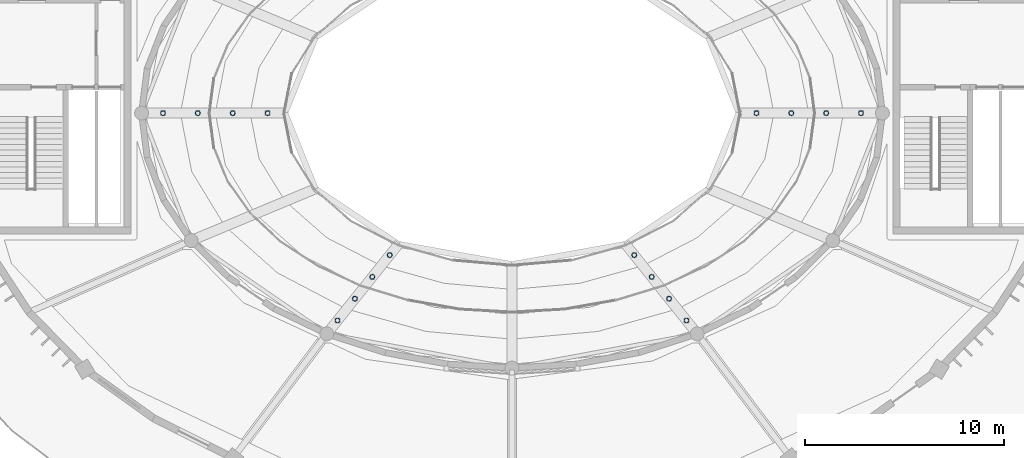
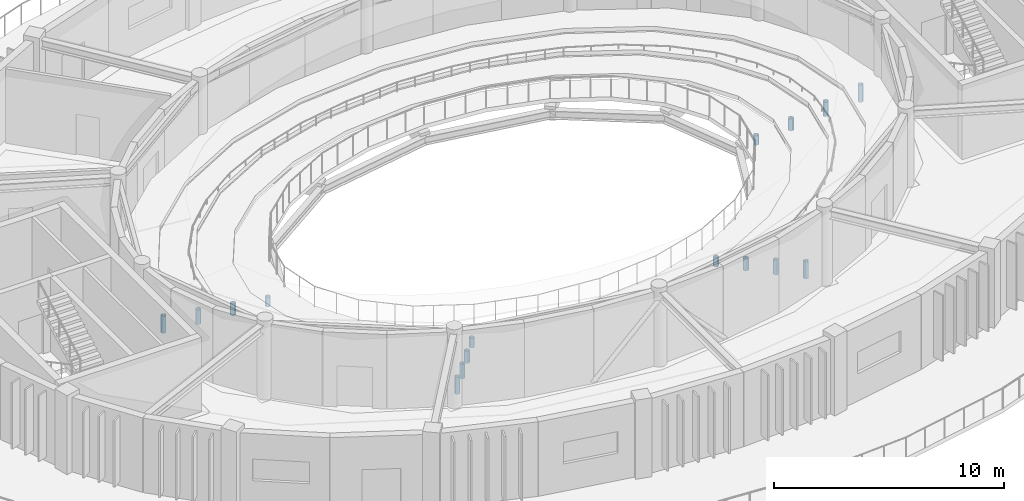
# One storey, part 40 of 63: 16 members.
"""IFC4 building model written with IfcOpenShell, lengths in metres."""

from ifc_helpers import new_model, si_unit, direction, frame, origin, origin_2d, place, context, subcontext, project, spatial, hollow_circle, extrude, material, material_profile, profile_set, type_object, element, save


model = new_model("IFC4")

# Units and contexts
model_context = context("Model", 3, precision=1e-05, world=origin(), true_north=direction((0.0, 1.0)))
body_context = subcontext(model_context, "Body", "Model", "MODEL_VIEW")
ifc_project = project(units=[si_unit("LENGTHUNIT", "METRE"), si_unit("AREAUNIT", "SQUARE_METRE"), si_unit("VOLUMEUNIT", "CUBIC_METRE"), si_unit("PLANEANGLEUNIT", "RADIAN"), si_unit("MASSUNIT", "GRAM", prefix="KILO")], contexts=[model_context])

# Site, building, storey
site_placement = place(None, origin())
site = spatial("IfcSite", under=ifc_project, at=site_placement, CompositionType="ELEMENT")
building_placement = place(site_placement, origin())
building = spatial("IfcBuilding", under=site, at=building_placement, Name="Tarnveldt Headland Concert Hall", CompositionType="ELEMENT")
storey_placement = place(building_placement, frame((0.0, 0.0, 14.39990234375)))
storey = spatial("IfcBuildingStorey", under=building, at=storey_placement, Name="L03", CompositionType="ELEMENT", Elevation=14.39990234375)

# Members
ifc_material = material(Name="Steel S355", Category="steel")
ifc_material_profile = material_profile(ifc_material, hollow_circle(Radius=0.122314453125, WallThickness=0.01611328125, at=origin_2d()), Name="CHS 244.5x16", Category="steel")
ifc_profile_set = profile_set([ifc_material_profile], Name="Steel S355")
member_type = type_object("IfcMemberType", Name="TR-CHORD244", PredefinedType="POST", material=ifc_profile_set)
for number, where, z_axis, x_axis, name in (
    (1, (95.77490234375, 54.5, -0.431396484375), (0.0, 0.0, 1.0), (1.0, 0.0, 0.0), "Vineyard tier raker stool post L03-1-1"),
    (2, (71.22509765625, 54.5, -0.431396484375), (0.0, 0.0, 1.0), (1.0, 0.0, 0.0), "Vineyard tier raker stool post L03-1-7"),
    (3, (77.362548828125, 47.370849609375, -0.431396484375), (0.0, 0.0, 1.0), (1.0, 0.0, 0.0), "Vineyard tier raker stool post L03-1-9"),
    (4, (89.637451171875, 47.370849609375, -0.431396484375), (0.0, 0.0, 1.0), (1.0, 0.0, 0.0), "Vineyard tier raker stool post L03-1-11"),
):
    element("IfcMember", number, at=place(storey_placement, frame(where, z_axis=z_axis, x_axis=x_axis)), inside=storey, type_object=member_type, Name=name, PredefinedType="POST", context=body_context, shape_type="SweptSolid", body=[
        extrude(hollow_circle(Radius=0.122314453125, WallThickness=0.01611328125, at=origin_2d()), origin(), (0.0, 0.0, 1.0), 0.49658203125),
    ])
for number, where, z_axis, x_axis, name in (
    (5, (97.52490234375, 54.5, -0.284423828125), (0.0, 0.0, 1.0), (1.0, 0.0, 0.0), "Vineyard tier raker stool post L03-2-1"),
    (6, (69.47509765625, 54.5, -0.284423828125), (0.0, 0.0, 1.0), (1.0, 0.0, 0.0), "Vineyard tier raker stool post L03-2-7"),
    (7, (76.487548828125, 46.2763671875, -0.284423828125), (0.0, 0.0, 1.0), (1.0, 0.0, 0.0), "Vineyard tier raker stool post L03-2-9"),
    (8, (90.512451171875, 46.2763671875, -0.284423828125), (0.0, 0.0, 1.0), (1.0, 0.0, 0.0), "Vineyard tier raker stool post L03-2-11"),
):
    element("IfcMember", number, at=place(storey_placement, frame(where, z_axis=z_axis, x_axis=x_axis)), inside=storey, type_object=member_type, Name=name, PredefinedType="POST", context=body_context, shape_type="SweptSolid", body=[
        extrude(hollow_circle(Radius=0.122314453125, WallThickness=0.01611328125, at=origin_2d()), origin(), (0.0, 0.0, 1.0), 0.629638671875),
    ])
for number, where, z_axis, x_axis, name in (
    (9, (99.27490234375, 54.5, -0.13720703125), (0.0, 0.0, 1.0), (1.0, 0.0, 0.0), "Vineyard tier raker stool post L03-3-1"),
    (10, (67.72509765625, 54.5, -0.13720703125), (0.0, 0.0, 1.0), (1.0, 0.0, 0.0), "Vineyard tier raker stool post L03-3-7"),
    (11, (75.612548828125, 45.181884765625, -0.13720703125), (0.0, 0.0, 1.0), (1.0, 0.0, 0.0), "Vineyard tier raker stool post L03-3-9"),
    (12, (91.387451171875, 45.181884765625, -0.13720703125), (0.0, 0.0, 1.0), (1.0, 0.0, 0.0), "Vineyard tier raker stool post L03-3-11"),
):
    element("IfcMember", number, at=place(storey_placement, frame(where, z_axis=z_axis, x_axis=x_axis)), inside=storey, type_object=member_type, Name=name, PredefinedType="POST", context=body_context, shape_type="SweptSolid", body=[
        extrude(hollow_circle(Radius=0.122314453125, WallThickness=0.01611328125, at=origin_2d()), origin(), (0.0, 0.0, 1.0), 0.76220703125),
    ])
for number, where, z_axis, x_axis, name in (
    (13, (101.02490234375, 54.5, 0.009765625), (0.0, 0.0, 1.0), (1.0, 0.0, 0.0), "Vineyard tier raker stool post L03-4-1"),
    (14, (65.97509765625, 54.5, 0.009765625), (0.0, 0.0, 1.0), (1.0, 0.0, 0.0), "Vineyard tier raker stool post L03-4-7"),
    (15, (74.737548828125, 44.08740234375, 0.009765625), (0.0, 0.0, 1.0), (1.0, 0.0, 0.0), "Vineyard tier raker stool post L03-4-9"),
    (16, (92.262451171875, 44.08740234375, 0.009765625), (0.0, 0.0, 1.0), (1.0, 0.0, 0.0), "Vineyard tier raker stool post L03-4-11"),
):
    element("IfcMember", number, at=place(storey_placement, frame(where, z_axis=z_axis, x_axis=x_axis)), inside=storey, type_object=member_type, Name=name, PredefinedType="POST", context=body_context, shape_type="SweptSolid", body=[
        extrude(hollow_circle(Radius=0.122314453125, WallThickness=0.01611328125, at=origin_2d()), origin(), (0.0, 0.0, 1.0), 0.895263671875),
    ])

save(model, "model.ifc")
